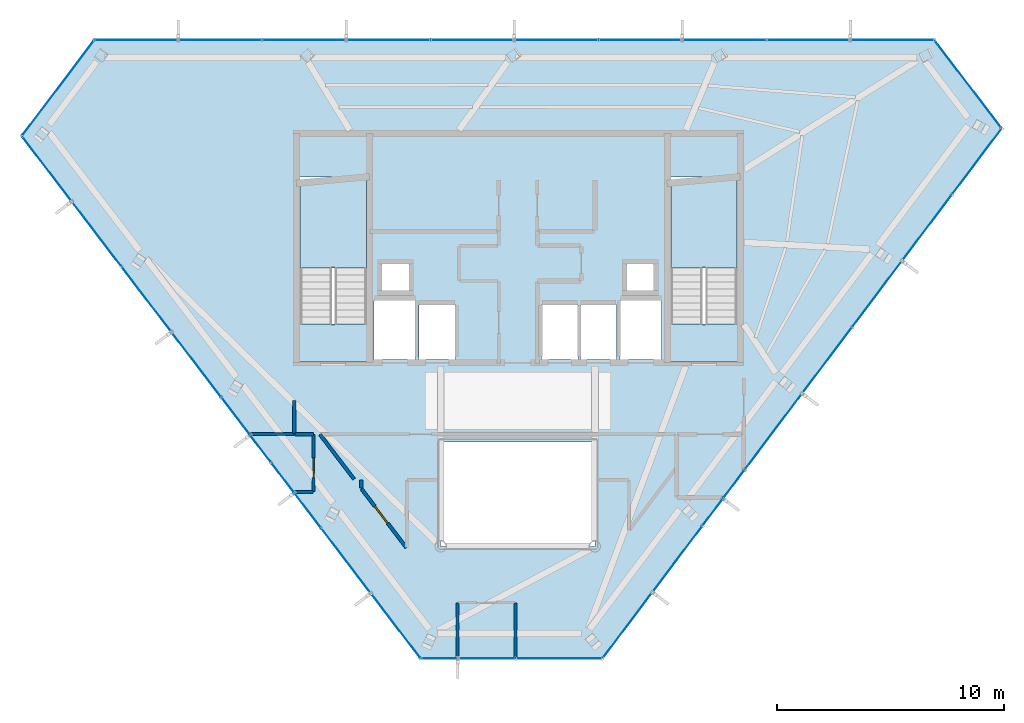
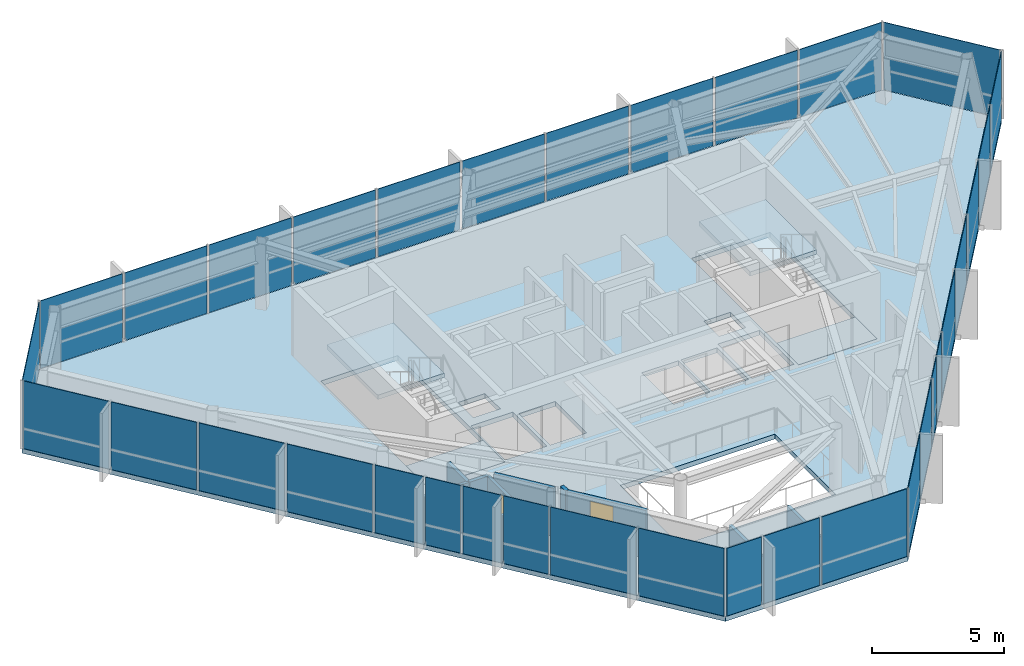
# One storey, part 19 of 22: 34 plates, 10 walls, 5 slabs, 2 doors, 2 openings, 8 elements without a shape of their own.
"""IFC4 building model written with IfcOpenShell, lengths in metres."""

from ifc_helpers import new_model, si_unit, direction, frame, frame_2d, origin, origin_2d, place, context, subcontext, project, spatial, polyline, rectangle, outline, extrude, material, layer, layer_set, type_object, element, fill, aggregate, save


model = new_model("IFC4")

# Units and contexts
model_context = context("Model", 3, precision=1e-05, world=origin(), true_north=direction((0.0, 1.0)))
body_context = subcontext(model_context, "Body", "Model", "MODEL_VIEW")
ifc_project = project(units=[si_unit("LENGTHUNIT", "METRE"), si_unit("AREAUNIT", "SQUARE_METRE"), si_unit("VOLUMEUNIT", "CUBIC_METRE"), si_unit("PLANEANGLEUNIT", "RADIAN"), si_unit("MASSUNIT", "GRAM", prefix="KILO")], contexts=[model_context])

# Site, building, storey
site_placement = place(None, origin())
site = spatial("IfcSite", under=ifc_project, at=site_placement, CompositionType="ELEMENT")
building_placement = place(site_placement, origin())
building = spatial("IfcBuilding", under=site, at=building_placement, Name="Zarrinselat Tower", CompositionType="ELEMENT")
storey_placement = place(building_placement, frame((0.0, 0.0, 295.800048828125)))
storey = spatial("IfcBuildingStorey", under=building, at=storey_placement, Name="L76", CompositionType="ELEMENT", Elevation=295.800048828125)

# Curtain wall, plates
ifc_material_1 = material(Name="Extruded Aluminium Alloy EN AW-6063 T6", Category="aluminium")
ifc_layer_1 = layer(ifc_material_1, 0.169921875)
ifc_layer_set_1 = layer_set([ifc_layer_1], Name="Extruded Aluminium Alloy EN AW-6063 T6")
curtain_wall_type_1 = type_object("IfcCurtainWallType", Name="CWS-RES", PredefinedType="NOTDEFINED", material=ifc_layer_set_1)
curtain_wall_1_placement = place(storey_placement, origin())
curtain_wall_1 = element("IfcCurtainWall", 1, at=curtain_wall_1_placement, inside=storey, type_object=curtain_wall_type_1, Name="L76 Unitised Curtain Wall CW-L76-E01", PredefinedType="NOTDEFINED")
ifc_material_2 = material(Name="Double Low-E Laminated Solar Glass", Category="glass")
ifc_layer_2 = layer(ifc_material_2, 0.028076171875)
ifc_layer_set_2 = layer_set([ifc_layer_2], Name="Double Low-E Laminated Solar Glass")
plate_type = type_object("IfcPlateType", Name="PLT-CW-GL28", PredefinedType="CURTAIN_PANEL", material=ifc_layer_set_2)
plate_1_placement = place(storey_placement, frame((54.90576171875, 47.5166015625, 0.02001953125), z_axis=(0.0, 0.0, 1.0), x_axis=(-1.0, 0.0, 0.0)))
plate_1 = element("IfcPlate", 2, at=plate_1_placement, type_object=plate_type, Name="CW-L76-E01 Vision Glass Panel 1", PredefinedType="CURTAIN_PANEL", context=body_context, shape_type="SweptSolid", body=[
    extrude(rectangle(XDim=3.6025390625, YDim=0.028076171875, at=origin_2d()), origin(), (0.0, 0.0, 1.0), 3.139892578125),
])
plate_2_placement = place(storey_placement, frame((51.203125, 47.5166015625, 0.02001953125), z_axis=(0.0, 0.0, 1.0), x_axis=(-1.0, 0.0, 0.0)))
plate_2 = element("IfcPlate", 3, at=plate_2_placement, type_object=plate_type, Name="CW-L76-E01 Vision Glass Panel 2", PredefinedType="CURTAIN_PANEL", context=body_context, shape_type="SweptSolid", body=[
    extrude(rectangle(XDim=3.6025390625, YDim=0.028076171875, at=origin_2d()), origin(), (0.0, 0.0, 1.0), 3.139892578125),
])
plate_3_placement = place(storey_placement, frame((47.50048828125, 47.5166015625, 0.02001953125), z_axis=(0.0, 0.0, 1.0), x_axis=(-1.0, 0.0, 0.0)))
plate_3 = element("IfcPlate", 4, at=plate_3_placement, type_object=plate_type, Name="CW-L76-E01 Vision Glass Panel 3", PredefinedType="CURTAIN_PANEL", context=body_context, shape_type="SweptSolid", body=[
    extrude(rectangle(XDim=3.6025390625, YDim=0.028076171875, at=origin_2d()), origin(), (0.0, 0.0, 1.0), 3.139892578125),
])
plate_4_placement = place(storey_placement, frame((43.798095703125, 47.5166015625, 0.02001953125), z_axis=(0.0, 0.0, 1.0), x_axis=(-1.0, 0.0, 0.0)))
plate_4 = element("IfcPlate", 5, at=plate_4_placement, type_object=plate_type, Name="CW-L76-E01 Vision Glass Panel 4", PredefinedType="CURTAIN_PANEL", context=body_context, shape_type="SweptSolid", body=[
    extrude(rectangle(XDim=3.6025390625, YDim=0.028076171875, at=origin_2d()), origin(), (0.0, 0.0, 1.0), 3.139892578125),
])
plate_5_placement = place(storey_placement, frame((40.095458984375, 47.5166015625, 0.02001953125), z_axis=(0.0, 0.0, 1.0), x_axis=(-1.0, 0.0, 0.0)))
plate_5 = element("IfcPlate", 6, at=plate_5_placement, type_object=plate_type, Name="CW-L76-E01 Vision Glass Panel 5", PredefinedType="CURTAIN_PANEL", context=body_context, shape_type="SweptSolid", body=[
    extrude(rectangle(XDim=3.6025390625, YDim=0.028076171875, at=origin_2d()), origin(), (0.0, 0.0, 1.0), 3.139892578125),
])
plate_6_placement = place(storey_placement, frame((36.392822265625, 47.5166015625, 0.02001953125), z_axis=(0.0, 0.0, 1.0), x_axis=(-1.0, 0.0, 0.0)))
plate_6 = element("IfcPlate", 7, at=plate_6_placement, type_object=plate_type, Name="CW-L76-E01 Vision Glass Panel 6", PredefinedType="CURTAIN_PANEL", context=body_context, shape_type="SweptSolid", body=[
    extrude(rectangle(XDim=3.6025390625, YDim=0.028076171875, at=origin_2d()), origin(), (0.0, 0.0, 1.0), 3.139892578125),
])
plate_7_placement = place(storey_placement, frame((32.690185546875, 47.5166015625, 0.02001953125), z_axis=(0.0, 0.0, 1.0), x_axis=(-1.0, 0.0, 0.0)))
plate_7 = element("IfcPlate", 8, at=plate_7_placement, type_object=plate_type, Name="CW-L76-E01 Vision Glass Panel 7", PredefinedType="CURTAIN_PANEL", context=body_context, shape_type="SweptSolid", body=[
    extrude(rectangle(XDim=3.6025390625, YDim=0.028076171875, at=origin_2d()), origin(), (0.0, 0.0, 1.0), 3.139892578125),
])
plate_8_placement = place(storey_placement, frame((28.987548828125, 47.5166015625, 0.02001953125), z_axis=(0.0, 0.0, 1.0), x_axis=(-1.0, 0.0, 0.0)))
plate_8 = element("IfcPlate", 9, at=plate_8_placement, type_object=plate_type, Name="CW-L76-E01 Vision Glass Panel 8", PredefinedType="CURTAIN_PANEL", context=body_context, shape_type="SweptSolid", body=[
    extrude(rectangle(XDim=3.6025390625, YDim=0.028076171875, at=origin_2d()), origin(), (0.0, 0.0, 1.0), 3.139892578125),
])
plate_9_placement = place(storey_placement, frame((25.284912109375, 47.5166015625, 0.02001953125), z_axis=(0.0, 0.0, 1.0), x_axis=(-1.0, 0.0, 0.0)))
plate_9 = element("IfcPlate", 10, at=plate_9_placement, type_object=plate_type, Name="CW-L76-E01 Vision Glass Panel 9", PredefinedType="CURTAIN_PANEL", context=body_context, shape_type="SweptSolid", body=[
    extrude(rectangle(XDim=3.6025390625, YDim=0.028076171875, at=origin_2d()), origin(), (0.0, 0.0, 1.0), 3.139892578125),
])
plate_10_placement = place(storey_placement, frame((21.58251953125, 47.5166015625, 0.02001953125), z_axis=(0.0, 0.0, 1.0), x_axis=(-1.0, 0.0, 0.0)))
plate_10 = element("IfcPlate", 11, at=plate_10_placement, type_object=plate_type, Name="CW-L76-E01 Vision Glass Panel 10", PredefinedType="CURTAIN_PANEL", context=body_context, shape_type="SweptSolid", body=[
    extrude(rectangle(XDim=3.6025390625, YDim=0.028076171875, at=origin_2d()), origin(), (0.0, 0.0, 1.0), 3.139892578125),
])
aggregate(curtain_wall_1, [plate_1, plate_2, plate_3, plate_4, plate_5, plate_6, plate_7, plate_8, plate_9, plate_10])

# Curtain wall, plate
curtain_wall_2_placement = place(storey_placement, origin())
curtain_wall_2 = element("IfcCurtainWall", 12, at=curtain_wall_2_placement, inside=storey, type_object=curtain_wall_type_1, Name="L76 Unitised Curtain Wall CW-L76-E02", PredefinedType="NOTDEFINED")
plate_11_placement = place(storey_placement, frame((18.13818359375, 45.402099609375, 0.02001953125), z_axis=(0.0, 0.0, 1.0), x_axis=(-0.601678799407, -0.798738143789, 0.0)))
plate_11 = element("IfcPlate", 13, at=plate_11_placement, type_object=plate_type, Name="CW-L76-E02 Vision Glass Panel 1", PredefinedType="CURTAIN_PANEL", context=body_context, shape_type="SweptSolid", body=[
    extrude(rectangle(XDim=5.19482421875, YDim=0.028076171875, at=origin_2d()), origin(), (0.0, 0.0, 1.0), 3.139892578125),
])
aggregate(curtain_wall_2, [plate_11])

# Curtain wall, plates
curtain_wall_3_placement = place(storey_placement, origin())
curtain_wall_3 = element("IfcCurtainWall", 14, at=curtain_wall_3_placement, inside=storey, type_object=curtain_wall_type_1, Name="L76 Unitised Curtain Wall CW-L76-E03", PredefinedType="NOTDEFINED")
plate_12_placement = place(storey_placement, frame((17.643798828125, 41.848388671875, 0.02001953125), z_axis=(0.0, 0.0, 1.0), x_axis=(0.606801746242, -0.794853219631, 0.0)))
plate_12 = element("IfcPlate", 15, at=plate_12_placement, type_object=plate_type, Name="CW-L76-E03 Vision Glass Panel 1", PredefinedType="CURTAIN_PANEL", context=body_context, shape_type="SweptSolid", body=[
    extrude(rectangle(XDim=3.520751953125, YDim=0.028076171875, at=origin_2d()), origin(), (0.0, 0.0, 1.0), 3.139892578125),
])
plate_13_placement = place(storey_placement, frame((19.8408203125, 38.970703125, 0.02001953125), z_axis=(0.0, 0.0, 1.0), x_axis=(0.606801746242, -0.794853219631, 0.0)))
plate_13 = element("IfcPlate", 16, at=plate_13_placement, type_object=plate_type, Name="CW-L76-E03 Vision Glass Panel 2", PredefinedType="CURTAIN_PANEL", context=body_context, shape_type="SweptSolid", body=[
    extrude(rectangle(XDim=3.520751953125, YDim=0.028076171875, at=origin_2d()), origin(), (0.0, 0.0, 1.0), 3.139892578125),
])
plate_14_placement = place(storey_placement, frame((22.037841796875, 36.0927734375, 0.02001953125), z_axis=(0.0, 0.0, 1.0), x_axis=(0.606801746242, -0.794853219631, 0.0)))
plate_14 = element("IfcPlate", 17, at=plate_14_placement, type_object=plate_type, Name="CW-L76-E03 Vision Glass Panel 3", PredefinedType="CURTAIN_PANEL", context=body_context, shape_type="SweptSolid", body=[
    extrude(rectangle(XDim=3.520751953125, YDim=0.028076171875, at=origin_2d()), origin(), (0.0, 0.0, 1.0), 3.139892578125),
])
plate_15_placement = place(storey_placement, frame((24.23486328125, 33.21484375, 0.02001953125), z_axis=(0.0, 0.0, 1.0), x_axis=(0.606801746242, -0.794853219631, 0.0)))
plate_15 = element("IfcPlate", 18, at=plate_15_placement, type_object=plate_type, Name="CW-L76-E03 Vision Glass Panel 4", PredefinedType="CURTAIN_PANEL", context=body_context, shape_type="SweptSolid", body=[
    extrude(rectangle(XDim=3.520751953125, YDim=0.028076171875, at=origin_2d()), origin(), (0.0, 0.0, 1.0), 3.139892578125),
])
plate_16_placement = place(storey_placement, frame((25.968017578125, 30.944580078125, 0.02001953125), z_axis=(0.0, 0.0, 1.0), x_axis=(0.606801746242, -0.794853219631, 0.0)))
plate_16 = element("IfcPlate", 19, at=plate_16_placement, type_object=plate_type, Name="CW-L76-E03 Vision Glass Panel 5", PredefinedType="CURTAIN_PANEL", context=body_context, shape_type="SweptSolid", body=[
    extrude(rectangle(XDim=1.9912109375, YDim=0.028076171875, at=origin_2d()), origin(), (0.0, 0.0, 1.0), 3.139892578125),
])
plate_17_placement = place(storey_placement, frame((27.06640625, 29.505859375, 0.02001953125), z_axis=(0.0, 0.0, 1.0), x_axis=(0.606801746242, -0.794853219631, 0.0)))
plate_17 = element("IfcPlate", 20, at=plate_17_placement, type_object=plate_type, Name="CW-L76-E03 Vision Glass Panel 6", PredefinedType="CURTAIN_PANEL", context=body_context, shape_type="SweptSolid", body=[
    extrude(rectangle(XDim=1.429443359375, YDim=0.028076171875, at=origin_2d()), origin(), (0.0, 0.0, 1.0), 3.139892578125),
])
plate_18_placement = place(storey_placement, frame((28.039794921875, 28.230712890625, 0.02001953125), z_axis=(0.0, 0.0, 1.0), x_axis=(0.606801746242, -0.794853219631, 0.0)))
plate_18 = element("IfcPlate", 21, at=plate_18_placement, type_object=plate_type, Name="CW-L76-E03 Vision Glass Panel 7", PredefinedType="CURTAIN_PANEL", context=body_context, shape_type="SweptSolid", body=[
    extrude(rectangle(XDim=1.57861328125, YDim=0.028076171875, at=origin_2d()), origin(), (0.0, 0.0, 1.0), 3.139892578125),
])
plate_19_placement = place(storey_placement, frame((29.13818359375, 26.791748046875, 0.02001953125), z_axis=(0.0, 0.0, 1.0), x_axis=(0.606801746242, -0.794853219631, 0.0)))
plate_19 = element("IfcPlate", 22, at=plate_19_placement, type_object=plate_type, Name="CW-L76-E03 Vision Glass Panel 8", PredefinedType="CURTAIN_PANEL", context=body_context, shape_type="SweptSolid", body=[
    extrude(rectangle(XDim=1.842041015625, YDim=0.028076171875, at=origin_2d()), origin(), (0.0, 0.0, 1.0), 3.139892578125),
])
plate_20_placement = place(storey_placement, frame((30.825927734375, 24.5810546875, 0.02001953125), z_axis=(0.0, 0.0, 1.0), x_axis=(0.606801746242, -0.794853219631, 0.0)))
plate_20 = element("IfcPlate", 23, at=plate_20_placement, type_object=plate_type, Name="CW-L76-E03 Vision Glass Panel 9", PredefinedType="CURTAIN_PANEL", context=body_context, shape_type="SweptSolid", body=[
    extrude(rectangle(XDim=3.520751953125, YDim=0.028076171875, at=origin_2d()), origin(), (0.0, 0.0, 1.0), 3.139892578125),
])
plate_21_placement = place(storey_placement, frame((33.023193359375, 21.703125, 0.02001953125), z_axis=(0.0, 0.0, 1.0), x_axis=(0.606801746242, -0.794853219631, 0.0)))
plate_21 = element("IfcPlate", 24, at=plate_21_placement, type_object=plate_type, Name="CW-L76-E03 Vision Glass Panel 10", PredefinedType="CURTAIN_PANEL", context=body_context, shape_type="SweptSolid", body=[
    extrude(rectangle(XDim=3.520751953125, YDim=0.028076171875, at=origin_2d()), origin(), (0.0, 0.0, 1.0), 3.139892578125),
])
aggregate(curtain_wall_3, [plate_12, plate_13, plate_14, plate_15, plate_16, plate_17, plate_18, plate_19, plate_20, plate_21])

curtain_wall_4_placement = place(storey_placement, origin())
curtain_wall_4 = element("IfcCurtainWall", 25, at=curtain_wall_4_placement, inside=storey, type_object=curtain_wall_type_1, Name="L76 Unitised Curtain Wall CW-L76-E04", PredefinedType="NOTDEFINED")
plate_22_placement = place(storey_placement, frame((34.933837890625, 20.26416015625, 0.02001953125), z_axis=(0.0, 0.0, 1.0), x_axis=(1.0, 0.0, 0.0)))
plate_22 = element("IfcPlate", 26, at=plate_22_placement, type_object=plate_type, Name="CW-L76-E04 Vision Glass Panel 1", PredefinedType="CURTAIN_PANEL", context=body_context, shape_type="SweptSolid", body=[
    extrude(rectangle(XDim=1.524658203125, YDim=0.028076171875, at=origin_2d()), origin(), (0.0, 0.0, 1.0), 3.139892578125),
])
plate_23_placement = place(storey_placement, frame((37.021240234375, 20.26416015625, 0.02001953125), z_axis=(0.0, 0.0, 1.0), x_axis=(1.0, 0.0, 0.0)))
plate_23 = element("IfcPlate", 27, at=plate_23_placement, type_object=plate_type, Name="CW-L76-E04 Vision Glass Panel 2", PredefinedType="CURTAIN_PANEL", context=body_context, shape_type="SweptSolid", body=[
    extrude(rectangle(XDim=2.449951171875, YDim=0.028076171875, at=origin_2d()), origin(), (0.0, 0.0, 1.0), 3.139892578125),
])
plate_24_placement = place(storey_placement, frame((40.212890625, 20.26416015625, 0.02001953125), z_axis=(0.0, 0.0, 1.0), x_axis=(1.0, 0.0, 0.0)))
plate_24 = element("IfcPlate", 28, at=plate_24_placement, type_object=plate_type, Name="CW-L76-E04 Vision Glass Panel 3", PredefinedType="CURTAIN_PANEL", context=body_context, shape_type="SweptSolid", body=[
    extrude(rectangle(XDim=3.733642578125, YDim=0.028076171875, at=origin_2d()), origin(), (0.0, 0.0, 1.0), 3.139892578125),
])
aggregate(curtain_wall_4, [plate_22, plate_23, plate_24])

ifc_material_3 = material(Name="Extruded Aluminium Alloy EN AW-6063 T6", Category="aluminium")
ifc_layer_3 = layer(ifc_material_3, 0.199951171875)
ifc_layer_set_3 = layer_set([ifc_layer_3], Name="Extruded Aluminium Alloy EN AW-6063 T6")
curtain_wall_type_2 = type_object("IfcCurtainWallType", Name="CWS-BLADE", PredefinedType="NOTDEFINED", material=ifc_layer_set_3)
curtain_wall_5_placement = place(storey_placement, origin())
curtain_wall_5 = element("IfcCurtainWall", 29, at=curtain_wall_5_placement, inside=storey, type_object=curtain_wall_type_2, Name="L76 Unitised Curtain Wall CW-L76-E05", PredefinedType="NOTDEFINED")
plate_25_placement = place(storey_placement, frame((43.229736328125, 21.724365234375, 0.02001953125), z_axis=(0.0, 0.0, 1.0), x_axis=(0.601672649155, 0.798742776655, 0.0)))
plate_25 = element("IfcPlate", 30, at=plate_25_placement, type_object=plate_type, Name="CW-L76-E05 Vision Glass Panel 1", PredefinedType="CURTAIN_PANEL", context=body_context, shape_type="SweptSolid", body=[
    extrude(rectangle(XDim=3.555908203125, YDim=0.028076171875, at=origin_2d()), origin(), (0.0, 0.0, 1.0), 3.139892578125),
])
plate_26_placement = place(storey_placement, frame((45.429443359375, 24.64453125, 0.02001953125), z_axis=(0.0, 0.0, 1.0), x_axis=(0.601672649155, 0.798742776655, 0.0)))
plate_26 = element("IfcPlate", 31, at=plate_26_placement, type_object=plate_type, Name="CW-L76-E05 Vision Glass Panel 2", PredefinedType="CURTAIN_PANEL", context=body_context, shape_type="SweptSolid", body=[
    extrude(rectangle(XDim=3.555908203125, YDim=0.028076171875, at=origin_2d()), origin(), (0.0, 0.0, 1.0), 3.139892578125),
])
plate_27_placement = place(storey_placement, frame((46.984619140625, 26.709228515625, 0.02001953125), z_axis=(0.0, 0.0, 1.0), x_axis=(0.601672649155, 0.798742776655, 0.0)))
plate_27 = element("IfcPlate", 32, at=plate_27_placement, type_object=plate_type, Name="CW-L76-E05 Vision Glass Panel 3", PredefinedType="CURTAIN_PANEL", context=body_context, shape_type="SweptSolid", body=[
    extrude(rectangle(XDim=1.4140625, YDim=0.028076171875, at=origin_2d()), origin(), (0.0, 0.0, 1.0), 3.139892578125),
])
plate_28_placement = place(storey_placement, frame((47.9189453125, 27.94970703125, 0.02001953125), z_axis=(0.0, 0.0, 1.0), x_axis=(0.601672649155, 0.798742776655, 0.0)))
plate_28 = element("IfcPlate", 33, at=plate_28_placement, type_object=plate_type, Name="CW-L76-E05 Vision Glass Panel 4", PredefinedType="CURTAIN_PANEL", context=body_context, shape_type="SweptSolid", body=[
    extrude(rectangle(XDim=1.491943359375, YDim=0.028076171875, at=origin_2d()), origin(), (0.0, 0.0, 1.0), 3.139892578125),
])
plate_29_placement = place(storey_placement, frame((49.663330078125, 30.26513671875, 0.02001953125), z_axis=(0.0, 0.0, 1.0), x_axis=(0.601672649155, 0.798742776655, 0.0)))
plate_29 = element("IfcPlate", 34, at=plate_29_placement, type_object=plate_type, Name="CW-L76-E05 Vision Glass Panel 5", PredefinedType="CURTAIN_PANEL", context=body_context, shape_type="SweptSolid", body=[
    extrude(rectangle(XDim=4.106201171875, YDim=0.028076171875, at=origin_2d()), origin(), (0.0, 0.0, 1.0), 3.139892578125),
])
plate_30_placement = place(storey_placement, frame((52.028564453125, 33.405029296875, 0.02001953125), z_axis=(0.0, 0.0, 1.0), x_axis=(0.601672649155, 0.798742776655, 0.0)))
plate_30 = element("IfcPlate", 35, at=plate_30_placement, type_object=plate_type, Name="CW-L76-E05 Vision Glass Panel 6", PredefinedType="CURTAIN_PANEL", context=body_context, shape_type="SweptSolid", body=[
    extrude(rectangle(XDim=3.555908203125, YDim=0.028076171875, at=origin_2d()), origin(), (0.0, 0.0, 1.0), 3.139892578125),
])
plate_31_placement = place(storey_placement, frame((54.228271484375, 36.3251953125, 0.02001953125), z_axis=(0.0, 0.0, 1.0), x_axis=(0.601672649155, 0.798742776655, 0.0)))
plate_31 = element("IfcPlate", 36, at=plate_31_placement, type_object=plate_type, Name="CW-L76-E05 Vision Glass Panel 7", PredefinedType="CURTAIN_PANEL", context=body_context, shape_type="SweptSolid", body=[
    extrude(rectangle(XDim=3.555908203125, YDim=0.028076171875, at=origin_2d()), origin(), (0.0, 0.0, 1.0), 3.139892578125),
])
plate_32_placement = place(storey_placement, frame((56.427978515625, 39.24560546875, 0.02001953125), z_axis=(0.0, 0.0, 1.0), x_axis=(0.601672649155, 0.798742776655, 0.0)))
plate_32 = element("IfcPlate", 37, at=plate_32_placement, type_object=plate_type, Name="CW-L76-E05 Vision Glass Panel 8", PredefinedType="CURTAIN_PANEL", context=body_context, shape_type="SweptSolid", body=[
    extrude(rectangle(XDim=3.555908203125, YDim=0.028076171875, at=origin_2d()), origin(), (0.0, 0.0, 1.0), 3.139892578125),
])
plate_33_placement = place(storey_placement, frame((58.627685546875, 42.165771484375, 0.02001953125), z_axis=(0.0, 0.0, 1.0), x_axis=(0.601672649155, 0.798742776655, 0.0)))
plate_33 = element("IfcPlate", 38, at=plate_33_placement, type_object=plate_type, Name="CW-L76-E05 Vision Glass Panel 9", PredefinedType="CURTAIN_PANEL", context=body_context, shape_type="SweptSolid", body=[
    extrude(rectangle(XDim=3.555908203125, YDim=0.028076171875, at=origin_2d()), origin(), (0.0, 0.0, 1.0), 3.139892578125),
])
aggregate(curtain_wall_5, [plate_25, plate_26, plate_27, plate_28, plate_29, plate_30, plate_31, plate_32, plate_33])

# Curtain wall, plate
curtain_wall_6_placement = place(storey_placement, origin())
curtain_wall_6 = element("IfcCurtainWall", 39, at=curtain_wall_6_placement, inside=storey, type_object=curtain_wall_type_1, Name="L76 Unitised Curtain Wall CW-L76-E06", PredefinedType="NOTDEFINED")
plate_34_placement = place(storey_placement, frame((58.2421875, 45.5712890625, 0.02001953125), z_axis=(0.0, 0.0, 1.0), x_axis=(-0.606806144855, 0.794849861651, 0.0)))
plate_34 = element("IfcPlate", 40, at=plate_34_placement, type_object=plate_type, Name="CW-L76-E06 Vision Glass Panel 1", PredefinedType="CURTAIN_PANEL", context=body_context, shape_type="SweptSolid", body=[
    extrude(rectangle(XDim=4.795166015625, YDim=0.028076171875, at=origin_2d()), origin(), (0.0, 0.0, 1.0), 3.139892578125),
])
aggregate(curtain_wall_6, [plate_34])

# Slabs
ifc_material_4 = material(Name="Concrete C40/50", Category="concrete")
ifc_layer_4 = layer(ifc_material_4, 0.219970703125)
ifc_layer_set_4 = layer_set([ifc_layer_4], Name="Concrete C40/50")
slab_type_1 = type_object("IfcSlabType", Name="SLB-FLOOR-220-SL-RS220", PredefinedType="FLOOR", material=ifc_layer_set_4)
slab_1_placement = place(storey_placement, frame((0.0, 0.0, -0.219970703125)))
element("IfcSlab", 41, at=slab_1_placement, inside=storey, type_object=slab_type_1, Name="L76 Primary Structural Slab", PredefinedType="FLOOR", context=body_context, shape_type="SweptSolid", body=[
    extrude(outline(polyline([(56.757080078125, 47.5166015625), (19.731201171875, 47.5166015625), (16.54541015625, 43.28759765625), (34.12158203125, 20.26416015625), (42.1298828125, 20.26416015625), (59.7275390625, 43.625732421875), (56.757080078125, 47.5166015625)]), holes=[polyline([(41.800048828125, 25.199951171875), (35.0, 25.199951171875), (35.0, 29.800048828125), (41.800048828125, 29.800048828125), (41.800048828125, 25.199951171875)]), polyline([(35.64990234375, 33.449951171875), (34.050048828125, 33.449951171875), (34.050048828125, 35.85009765625), (35.64990234375, 35.85009765625), (35.64990234375, 33.449951171875)]), polyline([(41.050048828125, 33.449951171875), (39.449951171875, 33.449951171875), (39.449951171875, 35.85009765625), (41.050048828125, 35.85009765625), (41.050048828125, 33.449951171875)]), polyline([(41.14990234375, 33.449951171875), (41.14990234375, 35.85009765625), (42.75, 35.85009765625), (42.75, 33.449951171875), (41.14990234375, 33.449951171875)]), polyline([(32.06005859375, 33.449951171875), (32.06005859375, 36.050048828125), (33.89990234375, 36.050048828125), (33.89990234375, 33.449951171875), (32.06005859375, 33.449951171875)]), polyline([(44.739990234375, 33.449951171875), (42.89990234375, 33.449951171875), (42.89990234375, 36.050048828125), (44.739990234375, 36.050048828125), (44.739990234375, 33.449951171875)]), polyline([(33.60009765625, 36.47998046875), (32.419921875, 36.47998046875), (32.419921875, 37.639892578125), (33.60009765625, 37.639892578125), (33.60009765625, 36.47998046875)]), polyline([(44.3798828125, 36.47998046875), (43.199951171875, 36.47998046875), (43.199951171875, 37.639892578125), (44.3798828125, 37.639892578125), (44.3798828125, 36.47998046875)]), polyline([(31.985107421875, 33.324951171875), (28.60498046875, 33.324951171875), (28.60498046875, 41.47509765625), (31.985107421875, 41.47509765625), (31.985107421875, 33.324951171875)]), polyline([(48.324951171875, 33.324951171875), (44.875, 33.324951171875), (44.875, 41.47509765625), (48.324951171875, 41.47509765625), (48.324951171875, 33.324951171875)])]), origin(), (0.0, 0.0, 1.0), 0.219970703125),
])
slab_2_placement = place(storey_placement, frame((0.0, 0.0, -0.219970703125)))
element("IfcSlab", 42, at=slab_2_placement, inside=storey, type_object=slab_type_1, Name="L76 Stair ST-1-FL1 Structural Floor Landing", PredefinedType="FLOOR", context=body_context, shape_type="SweptSolid", body=[
    extrude(outline(polyline([(31.97998046875, 33.330078125), (31.97998046875, 35.0), (28.610107421875, 35.0), (28.610107421875, 33.330078125), (31.97998046875, 33.330078125)])), origin(), (0.0, 0.0, 1.0), 0.219970703125),
])
slab_3_placement = place(storey_placement, frame((0.0, 0.0, -0.219970703125)))
element("IfcSlab", 43, at=slab_3_placement, inside=storey, type_object=slab_type_1, Name="L76 Stair ST-2-FL1 Structural Floor Landing", PredefinedType="FLOOR", context=body_context, shape_type="SweptSolid", body=[
    extrude(outline(polyline([(48.320068359375, 33.330078125), (48.320068359375, 35.0), (44.8798828125, 35.0), (44.8798828125, 33.330078125), (48.320068359375, 33.330078125)])), origin(), (0.0, 0.0, 1.0), 0.219970703125),
])

# Stair, slab
ifc_material_5 = material(Name="Concrete C40/50", Category="concrete")
stair_type = type_object("IfcStairType", Name="STR-CORE-155", PredefinedType="HALF_TURN_STAIR", material=ifc_material_5)
stair_1_placement = place(storey_placement, origin())
stair_1 = element("IfcStair", 44, at=stair_1_placement, inside=storey, type_object=stair_type, Name="L76 Core Exit Stair 1", PredefinedType="HALF_TURN_STAIR")
ifc_material_6 = material(Name="Concrete C40/50", Category="concrete")
ifc_layer_5 = layer(ifc_material_6, 0.18994140625)
ifc_layer_set_5 = layer_set([ifc_layer_5], Name="Concrete C40/50")
slab_type_2 = type_object("IfcSlabType", Name="SLB-LND-190", PredefinedType="LANDING", material=ifc_layer_set_5)
slab_4_placement = place(storey_placement, frame((0.0, 0.0, 1.5)))
slab_4 = element("IfcSlab", 45, at=slab_4_placement, type_object=slab_type_2, Name="ST-1 landing 1", PredefinedType="LANDING", context=body_context, shape_type="SweptSolid", body=[
    extrude(outline(polyline([(31.719970703125, 37.47998046875), (31.719970703125, 41.35009765625), (28.800048828125, 41.35009765625), (28.800048828125, 37.47998046875), (31.719970703125, 37.47998046875)])), origin(), (0.0, 0.0, 1.0), 0.199951171875),
])
aggregate(stair_1, [slab_4])

stair_2_placement = place(storey_placement, origin())
stair_2 = element("IfcStair", 46, at=stair_2_placement, inside=storey, type_object=stair_type, Name="L76 Core Exit Stair 2", PredefinedType="HALF_TURN_STAIR")
slab_5_placement = place(storey_placement, frame((0.0, 0.0, 1.5)))
slab_5 = element("IfcSlab", 47, at=slab_5_placement, type_object=slab_type_2, Name="ST-2 landing 1", PredefinedType="LANDING", context=body_context, shape_type="SweptSolid", body=[
    extrude(outline(polyline([(48.06005859375, 37.47998046875), (48.06005859375, 41.35009765625), (45.139892578125, 41.35009765625), (45.139892578125, 37.47998046875), (48.06005859375, 37.47998046875)])), origin(), (0.0, 0.0, 1.0), 0.199951171875),
])
aggregate(stair_2, [slab_5])

# Walls
ifc_material_7 = material(Name="Fire-Rated Gypsum Board Partition", Category="gypsum")
ifc_layer_6 = layer(ifc_material_7, 0.14990234375)
ifc_layer_set_6 = layer_set([ifc_layer_6], Name="Fire-Rated Gypsum Board Partition")
wall_type_1 = type_object("IfcWallType", Name="WAL-PART-EI60", PredefinedType="PARTITIONING", material=ifc_layer_set_6)
wall_1_placement = place(storey_placement, frame((28.570068359375, 30.14990234375, 0.0), z_axis=(0.0, 0.0, 1.0), x_axis=(1.0, 0.0, 0.0)))
element("IfcWall", 48, at=wall_1_placement, inside=storey, type_object=wall_type_1, Name="L76 Partition Wall 18", PredefinedType="PARTITIONING", context=body_context, shape_type="SweptSolid", body=[
    extrude(rectangle(XDim=0.824951171875, YDim=0.14990234375, at=frame_2d((0.41259765625, 0.0))), origin(), (0.0, 0.0, 1.0), 2.23486328125),
])
wall_2_placement = place(storey_placement, frame((28.550048828125, 30.169921875, 0.0), z_axis=(0.0, 0.0, 1.0), x_axis=(0.0, 1.0, 0.0)))
element("IfcWall", 49, at=wall_2_placement, inside=storey, type_object=wall_type_1, Name="L76 Partition Wall 19", PredefinedType="PARTITIONING", context=body_context, shape_type="SweptSolid", body=[
    extrude(rectangle(XDim=1.47119140625, YDim=0.14990234375, at=frame_2d((0.735595703125, 0.0))), origin(), (0.0, 0.0, 1.0), 2.23486328125),
])

# Wall, opening, door
wall_3_placement = place(storey_placement, frame((31.51220703125, 27.736328125, 0.0), z_axis=(0.0, 0.0, 1.0), x_axis=(0.606793028784, -0.794859874581, 0.0)))
wall_3 = element("IfcWall", 50, at=wall_3_placement, inside=storey, type_object=wall_type_1, Name="L76 Partition Wall 29", PredefinedType="PARTITIONING", context=body_context, shape_type="SweptSolid", body=[
    extrude(rectangle(XDim=3.255859375, YDim=0.14990234375, at=frame_2d((1.6279296875, 0.0))), origin(), (0.0, 0.0, 1.0), 2.23486328125),
])
opening_1_placement = place(wall_3_placement, frame((0.9580078125, 0.0, 0.0)))
opening_1 = element("IfcOpeningElement", 51, at=opening_1_placement, cuts=wall_3, Name="Opening ID-04", PredefinedType="OPENING", context=body_context, shape_type="SweptSolid", body=[
    extrude(rectangle(XDim=0.93994140625, YDim=2.050048828125, at=frame_2d((0.469970703125, 1.02490234375))), frame((0.0, 0.0849609375, 0.0), z_axis=(0.0, -1.0, 0.0), x_axis=(1.0, 0.0, 0.0)), (0.0, 0.0, 1.0), 0.169921875),
])
ifc_material_8 = material(Name="Fire-Rated Gypsum Board Partition")
door_type_1 = type_object("IfcDoorType", Name="DR-INT-FD30-ENT", OperationType="NOTDEFINED", PredefinedType="DOOR", material=ifc_material_8)
door_1_placement = place(opening_1_placement, origin())
door_1 = element("IfcDoor", 52, at=door_1_placement, inside=storey, type_object=door_type_1, Name="L76 Interior Door P29", OperationType="SINGLE_SWING_LEFT", OverallHeight=2.050048828125, OverallWidth=0.93994140625, PredefinedType="DOOR", context=body_context, shape_type="SweptSolid", body=[
    extrude(rectangle(XDim=0.93994140625, YDim=2.050048828125, at=frame_2d((0.469970703125, 1.02490234375))), frame((0.0, 0.02490234375, 0.0), z_axis=(0.0, -1.0, 0.0), x_axis=(1.0, 0.0, 0.0)), (0.0, 0.0, 1.0), 0.050048828125),
])
fill(opening_1, door_1)

# Walls
wall_4_placement = place(storey_placement, frame((31.5, 27.772216796875, 0.0), z_axis=(0.0, 0.0, 1.0), x_axis=(0.0, 1.0, 0.0)))
element("IfcWall", 53, at=wall_4_placement, inside=storey, type_object=wall_type_1, Name="L76 Partition Wall 30", PredefinedType="PARTITIONING", context=body_context, shape_type="SweptSolid", body=[
    extrude(rectangle(XDim=0.357666015625, YDim=0.14990234375, at=frame_2d((0.1787109375, 0.0))), origin(), (0.0, 0.0, 1.0), 2.23486328125),
])
wall_5_placement = place(storey_placement, frame((29.681640625, 30.134033203125, 0.0), z_axis=(0.0, 0.0, 1.0), x_axis=(0.60687170499, -0.794799807299, 0.0)))
element("IfcWall", 54, at=wall_5_placement, inside=storey, type_object=wall_type_1, Name="L76 Partition Wall 31", PredefinedType="PARTITIONING", context=body_context, shape_type="SweptSolid", body=[
    extrude(rectangle(XDim=2.47607421875, YDim=0.14990234375, at=frame_2d((1.238037109375, 0.0))), origin(), (0.0, 0.0, 1.0), 2.23486328125),
])
ifc_material_9 = material(Name="Fire-Rated Gypsum Board Partition", Category="gypsum")
ifc_layer_7 = layer(ifc_material_9, 0.135009765625)
ifc_layer_set_7 = layer_set([ifc_layer_7], Name="Fire-Rated Gypsum Board Partition")
wall_type_2 = type_object("IfcWallType", Name="WAL-PART-WET", PredefinedType="PARTITIONING", material=ifc_layer_set_7)
wall_6_placement = place(storey_placement, frame((28.536376953125, 27.60009765625, 0.0), z_axis=(0.0, 0.0, 1.0), x_axis=(1.0, 0.0, 0.0)))
element("IfcWall", 55, at=wall_6_placement, inside=storey, type_object=wall_type_2, Name="L76 Partition Wall 32", PredefinedType="PARTITIONING", context=body_context, shape_type="SweptSolid", body=[
    extrude(rectangle(XDim=0.84375, YDim=0.135009765625, at=frame_2d((0.421875, 0.0))), origin(), (0.0, 0.0, 1.0), 2.23486328125),
])

# Wall, opening, door
wall_7_placement = place(storey_placement, frame((29.400146484375, 27.6201171875, 0.0), z_axis=(0.0, 0.0, 1.0), x_axis=(0.0, 1.0, 0.0)))
wall_7 = element("IfcWall", 56, at=wall_7_placement, inside=storey, type_object=wall_type_2, Name="L76 Partition Wall 33", PredefinedType="PARTITIONING", context=body_context, shape_type="SweptSolid", body=[
    extrude(rectangle(XDim=2.509765625, YDim=0.135009765625, at=frame_2d((1.2548828125, 0.0))), origin(), (0.0, 0.0, 1.0), 2.23486328125),
])
opening_2_placement = place(wall_7_placement, frame((0.625, 0.0, 0.0)))
opening_2 = element("IfcOpeningElement", 57, at=opening_2_placement, cuts=wall_7, Name="Opening ID-06", PredefinedType="OPENING", context=body_context, shape_type="SweptSolid", body=[
    extrude(rectangle(XDim=0.860107421875, YDim=2.050048828125, at=frame_2d((0.43017578125, 1.02490234375))), frame((0.0, 0.077392578125, 0.0), z_axis=(0.0, -1.0, 0.0), x_axis=(1.0, 0.0, 0.0)), (0.0, 0.0, 1.0), 0.155029296875),
])
ifc_material_10 = material(Name="Extruded Aluminium Alloy EN AW-6063 T6", Category="aluminium")
door_type_2 = type_object("IfcDoorType", Name="DR-INT-WET-900", OperationType="NOTDEFINED", PredefinedType="DOOR", material=ifc_material_10)
door_2_placement = place(opening_2_placement, origin())
door_2 = element("IfcDoor", 58, at=door_2_placement, inside=storey, type_object=door_type_2, Name="L76 Interior Door P33", OperationType="SINGLE_SWING_RIGHT", OverallHeight=2.050048828125, OverallWidth=0.860107421875, PredefinedType="DOOR", context=body_context, shape_type="SweptSolid", body=[
    extrude(rectangle(XDim=0.860107421875, YDim=2.050048828125, at=frame_2d((0.43017578125, 1.02490234375))), frame((0.0, 0.02490234375, 0.0), z_axis=(0.0, -1.0, 0.0), x_axis=(1.0, 0.0, 0.0)), (0.0, 0.0, 1.0), 0.050048828125),
])
fill(opening_2, door_2)

# Walls
for number, where, z_axis, x_axis, name in (
    (59, (38.296142578125, 20.279296875, 0.0), (0.0, 0.0, 1.0), (0.0, 1.0, 0.0), "L76 Partition Wall 34"),
    (60, (35.74609375, 20.279296875, 0.0), (0.0, 0.0, 1.0), (0.0, 1.0, 0.0), "L76 Partition Wall 36"),
):
    element("IfcWall", number, at=place(storey_placement, frame(where, z_axis=z_axis, x_axis=x_axis)), inside=storey, type_object=wall_type_2, Name=name, PredefinedType="PARTITIONING", context=body_context, shape_type="SweptSolid", body=[
        extrude(rectangle(XDim=2.4248046875, YDim=0.135009765625, at=frame_2d((1.21240234375, 0.0))), origin(), (0.0, 0.0, 1.0), 2.23486328125),
    ])
wall_8_placement = place(storey_placement, frame((26.589599609375, 30.14990234375, 0.0), z_axis=(0.0, 0.0, 1.0), x_axis=(1.0, 0.0, 0.0)))
element("IfcWall", 61, at=wall_8_placement, inside=storey, type_object=wall_type_2, Name="L76 Partition Wall 37", PredefinedType="PARTITIONING", context=body_context, shape_type="SweptSolid", body=[
    extrude(rectangle(XDim=1.9404296875, YDim=0.135009765625, at=frame_2d((0.97021484375, 0.0))), origin(), (0.0, 0.0, 1.0), 2.23486328125),
])

save(model, "model.ifc")
